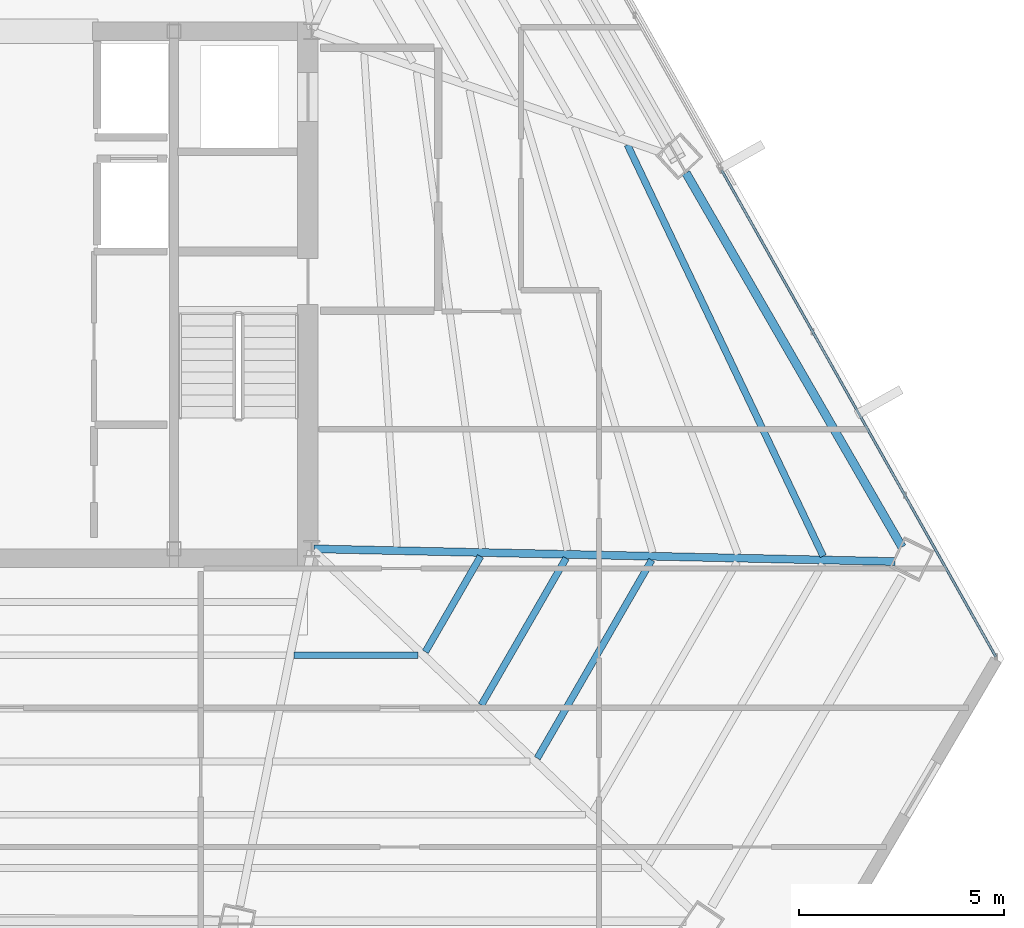
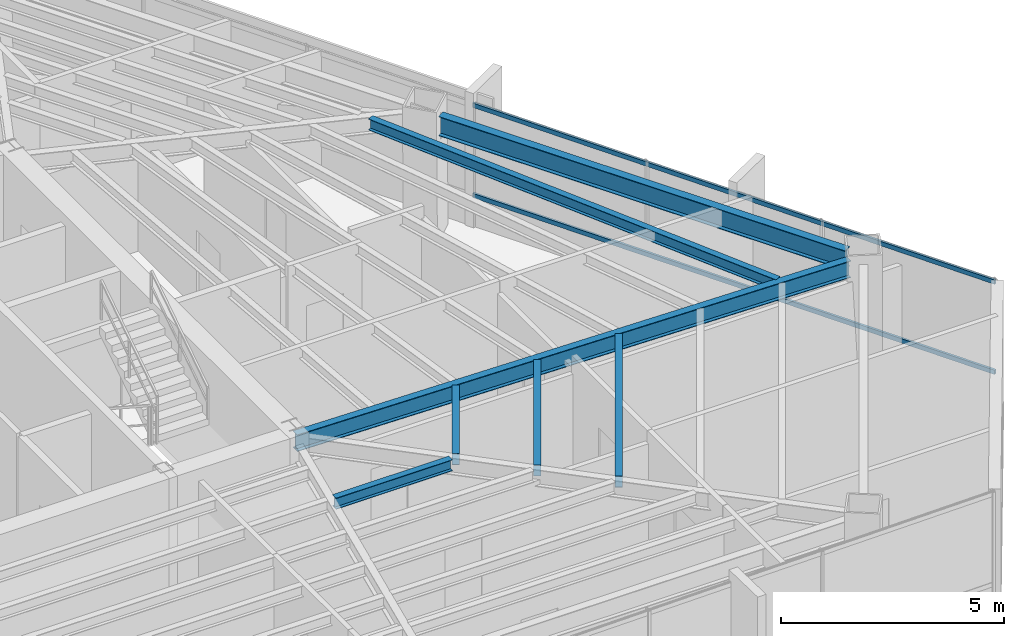
# One storey, part 21 of 42: 7 beams, 2 members, 1 element without a shape of its own.
"""IFC4 building model written with IfcOpenShell, lengths in metres."""

from ifc_helpers import new_model, si_unit, direction, frame, origin, origin_2d, place, context, subcontext, project, spatial, hollow_rectangle, i_section, extrude, source, transform, mapped, material, material_profile, profile_set, type_object, type_shapes, element, aggregate, save


model = new_model("IFC4")

# Units and contexts
model_context = context("Model", 3, precision=1e-05, world=origin(), true_north=direction((0.0, 1.0)))
body_context = subcontext(model_context, "Body", "Model", "MODEL_VIEW")
ifc_project = project(units=[si_unit("LENGTHUNIT", "METRE"), si_unit("AREAUNIT", "SQUARE_METRE"), si_unit("VOLUMEUNIT", "CUBIC_METRE"), si_unit("PLANEANGLEUNIT", "RADIAN"), si_unit("MASSUNIT", "GRAM", prefix="KILO")], contexts=[model_context])

# Site, building, storey
site_placement = place(None, origin())
site = spatial("IfcSite", under=ifc_project, at=site_placement, CompositionType="ELEMENT")
building_placement = place(site_placement, origin())
building = spatial("IfcBuilding", under=site, at=building_placement, Name="Caelisora Broadcast Tower", CompositionType="ELEMENT")
storey_placement = place(building_placement, frame((0.0, 0.0, 202.300048828125)))
storey = spatial("IfcBuildingStorey", under=building, at=storey_placement, Name="L53", CompositionType="ELEMENT", Elevation=202.300048828125)

# Beams
ifc_material_1 = material(Name="Steel Grade 350 (AS/NZS 3679.1)", Category="steel")
ifc_material_profile_1 = material_profile(ifc_material_1, i_section(OverallWidth=0.208984375, OverallDepth=0.532958984375, WebThickness=0.01025390625, FlangeThickness=0.015625, at=origin_2d()), Name="Steel Grade 350 (AS/NZS 3679.1)")
ifc_profile_set_1 = profile_set([ifc_material_profile_1], Name="Steel Grade 350 (AS/NZS 3679.1)")
beam_type_1 = type_object("IfcBeamType", Name="PG05", PredefinedType="BEAM", material=ifc_profile_set_1)
shared_shape_1 = source(origin(), body_context, "Body", "SweptSolid", [
    extrude(i_section(OverallWidth=0.208984375, OverallDepth=0.532958984375, WebThickness=0.01025390625, FlangeThickness=0.015625, at=origin_2d()), origin(), (0.0, 0.0, 1.0), 10.52392578125),
])
type_shapes(beam_type_1, [shared_shape_1])
beam_1_placement = place(storey_placement, frame((59.87744140625, 17.44189453125, 3.133544921875), z_axis=(-0.499998905622, 0.866026035623, 0.0), x_axis=(-0.866026035623, -0.499998905622, 0.0)))
element("IfcBeam", 1, at=beam_1_placement, inside=storey, type_object=beam_type_1, Name="L53 beam PG05", PredefinedType="BEAM", context=body_context, shape_type="MappedRepresentation", body=[
    mapped(shared_shape_1, transform((0.0, 0.0, 0.0), scale=1.0)),
])
ifc_material_profile_2 = material_profile(ifc_material_1, i_section(OverallWidth=0.19091796875, OverallDepth=0.46044921875, WebThickness=0.010009765625, FlangeThickness=0.01611328125, at=origin_2d()), Name="Steel Grade 350 (AS/NZS 3679.1)")
ifc_profile_set_2 = profile_set([ifc_material_profile_2], Name="Steel Grade 350 (AS/NZS 3679.1)")
beam_type_2 = type_object("IfcBeamType", Name="PG06", PredefinedType="BEAM", material=ifc_profile_set_2)
shared_shape_2 = source(origin(), body_context, "Body", "SweptSolid", [
    extrude(i_section(OverallWidth=0.19091796875, OverallDepth=0.46044921875, WebThickness=0.010009765625, FlangeThickness=0.01611328125, at=origin_2d()), origin(), (0.0, 0.0, 1.0), 14.153076171875),
])
type_shapes(beam_type_2, [shared_shape_2])
beam_2_placement = place(storey_placement, frame((45.56005859375, 17.398681640625, 3.169677734375), z_axis=(0.999761509965, -0.02183857121, 0.0), x_axis=(0.02183857121, 0.999761509965, 0.0)))
element("IfcBeam", 2, at=beam_2_placement, inside=storey, type_object=beam_type_2, Name="L53 beam PG06", PredefinedType="BEAM", context=body_context, shape_type="MappedRepresentation", body=[
    mapped(shared_shape_2, transform((0.0, 0.0, 0.0), scale=1.0)),
])
ifc_material_profile_3 = material_profile(ifc_material_1, i_section(OverallWidth=0.166015625, OverallDepth=0.30712890625, WebThickness=0.006591796875, FlangeThickness=0.01171875, at=origin_2d()), Name="Steel Grade 350 (AS/NZS 3679.1)")
ifc_profile_set_3 = profile_set([ifc_material_profile_3], Name="Steel Grade 350 (AS/NZS 3679.1)")
beam_type_3 = type_object("IfcBeamType", Name="SB03", PredefinedType="JOIST", material=ifc_profile_set_3)
shared_shape_3 = source(origin(), body_context, "Body", "SweptSolid", [
    extrude(i_section(OverallWidth=0.166015625, OverallDepth=0.30712890625, WebThickness=0.006591796875, FlangeThickness=0.01171875, at=origin_2d()), origin(), (0.0, 0.0, 1.0), 11.09375),
])
beam_3_placement = place(storey_placement, frame((57.957275390625, 17.220703125, 3.246337890625), z_axis=(-0.429619192931, 0.903010160001, 0.0), x_axis=(-0.903010160001, -0.429619192931, 0.0)))
element("IfcBeam", 3, at=beam_3_placement, inside=storey, type_object=beam_type_3, Name="L53 beam SB03", PredefinedType="JOIST", context=body_context, shape_type="MappedRepresentation", body=[
    mapped(shared_shape_3, transform((0.0, 0.0, 0.0), scale=1.0)),
])
shared_shape_4 = source(origin(), body_context, "Body", "SweptSolid", [
    extrude(i_section(OverallWidth=0.166015625, OverallDepth=0.30712890625, WebThickness=0.006591796875, FlangeThickness=0.01171875, at=origin_2d()), origin(), (0.0, 0.0, 1.0), 2.68505859375),
])
beam_4_placement = place(storey_placement, frame((48.271728515625, 14.891845703125, 3.246337890625), z_axis=(0.499982180423, 0.866035691677, 0.0), x_axis=(-0.866035691677, 0.499982180423, 0.0)))
element("IfcBeam", 4, at=beam_4_placement, inside=storey, type_object=beam_type_3, Name="L53 beam SB03", PredefinedType="JOIST", context=body_context, shape_type="MappedRepresentation", body=[
    mapped(shared_shape_4, transform((0.0, 0.0, 0.0), scale=1.0)),
])
shared_shape_5 = source(origin(), body_context, "Body", "SweptSolid", [
    extrude(i_section(OverallWidth=0.166015625, OverallDepth=0.30712890625, WebThickness=0.006591796875, FlangeThickness=0.01171875, at=origin_2d()), origin(), (0.0, 0.0, 1.0), 4.12841796875),
])
beam_5_placement = place(storey_placement, frame((49.6337890625, 13.596435546875, 3.246337890625), z_axis=(0.499986929959, 0.866032949645, 0.0), x_axis=(-0.866032949645, 0.499986929959, 0.0)))
element("IfcBeam", 5, at=beam_5_placement, inside=storey, type_object=beam_type_3, Name="L53 beam SB03", PredefinedType="JOIST", context=body_context, shape_type="MappedRepresentation", body=[
    mapped(shared_shape_5, transform((0.0, 0.0, 0.0), scale=1.0)),
])
shared_shape_6 = source(origin(), body_context, "Body", "SweptSolid", [
    extrude(i_section(OverallWidth=0.166015625, OverallDepth=0.30712890625, WebThickness=0.006591796875, FlangeThickness=0.01171875, at=origin_2d()), origin(), (0.0, 0.0, 1.0), 5.571533203125),
])
beam_6_placement = place(storey_placement, frame((50.995849609375, 12.301025390625, 3.246337890625), z_axis=(0.499975327912, 0.866039647752, 0.0), x_axis=(-0.866039647752, 0.499975327912, 0.0)))
element("IfcBeam", 6, at=beam_6_placement, inside=storey, type_object=beam_type_3, Name="L53 beam SB03", PredefinedType="JOIST", context=body_context, shape_type="MappedRepresentation", body=[
    mapped(shared_shape_6, transform((0.0, 0.0, 0.0), scale=1.0)),
])
shared_shape_7 = source(origin(), body_context, "Body", "SweptSolid", [
    extrude(i_section(OverallWidth=0.166015625, OverallDepth=0.30712890625, WebThickness=0.006591796875, FlangeThickness=0.01171875, at=origin_2d()), origin(), (0.0, 0.0, 1.0), 3.014404296875),
])
type_shapes(beam_type_3, [shared_shape_3, shared_shape_4, shared_shape_5, shared_shape_6, shared_shape_7])
beam_7_placement = place(storey_placement, frame((45.073974609375, 14.809326171875, 3.246337890625), z_axis=(1.0, 0.0, 0.0), x_axis=(0.0, 1.0, 0.0)))
element("IfcBeam", 7, at=beam_7_placement, inside=storey, type_object=beam_type_3, Name="L53 beam SB03", PredefinedType="JOIST", context=body_context, shape_type="MappedRepresentation", body=[
    mapped(shared_shape_7, transform((0.0, 0.0, 0.0), scale=1.0)),
])

# Curtain wall, members
ifc_material_2 = material(Name="Unitised Aluminium and Low-E Glass Curtain Wall", Category="glass")
curtain_wall_type = type_object("IfcCurtainWallType", Name="CW-Z4", PredefinedType="NOTDEFINED", material=ifc_material_2)
curtain_wall_placement = place(storey_placement, origin())
curtain_wall = element("IfcCurtainWall", 8, at=curtain_wall_placement, inside=storey, type_object=curtain_wall_type, Name="L53 curtain wall CW-Z4", PredefinedType="NOTDEFINED")
ifc_material_3 = material(Name="Aluminium 6063-T6 Anodised Terracotta Bronze", Category="aluminium")
ifc_material_profile_4 = material_profile(ifc_material_3, hollow_rectangle(XDim=0.06005859375, YDim=0.1201171875, WallThickness=0.0029296875, at=origin_2d()), Name="Aluminium 6063-T6 Anodised Terracotta Bronze")
ifc_profile_set_4 = profile_set([ifc_material_profile_4], Name="Aluminium 6063-T6 Anodised Terracotta Bronze")
member_type = type_object("IfcMemberType", Name="CWT-03", PredefinedType="USERDEFINED", material=ifc_profile_set_4)
shared_shape_8 = source(origin(), body_context, "Body", "SweptSolid", [
    extrude(hollow_rectangle(XDim=0.06005859375, YDim=0.1201171875, WallThickness=0.0029296875, at=origin_2d()), origin(), (0.0, 0.0, 1.0), 13.60302734375),
])
type_shapes(member_type, [shared_shape_8])
member_1_placement = place(storey_placement, frame((55.4853515625, 26.619384765625, 0.849853515625), z_axis=(0.490938520067, -0.871194220317, 0.0), x_axis=(0.871194220317, 0.490938520067, 0.0)))
member_1 = element("IfcMember", 9, at=member_1_placement, type_object=member_type, Name="L53-CW-B03 transom #1", ObjectType="TRANSOM", PredefinedType="USERDEFINED", context=body_context, shape_type="MappedRepresentation", body=[
    mapped(shared_shape_8, transform((0.0, 0.0, 0.0), scale=1.0)),
])
member_2_placement = place(storey_placement, frame((55.4853515625, 26.619384765625, 3.320068359375), z_axis=(0.490938520067, -0.871194220317, 0.0), x_axis=(0.871194220317, 0.490938520067, 0.0)))
member_2 = element("IfcMember", 10, at=member_2_placement, type_object=member_type, Name="L53-CW-B03 transom #2", ObjectType="TRANSOM", PredefinedType="USERDEFINED", context=body_context, shape_type="MappedRepresentation", body=[
    mapped(shared_shape_8, transform((0.0, 0.0, 0.0), scale=1.0)),
])
aggregate(curtain_wall, [member_1, member_2])

save(model, "model.ifc")
